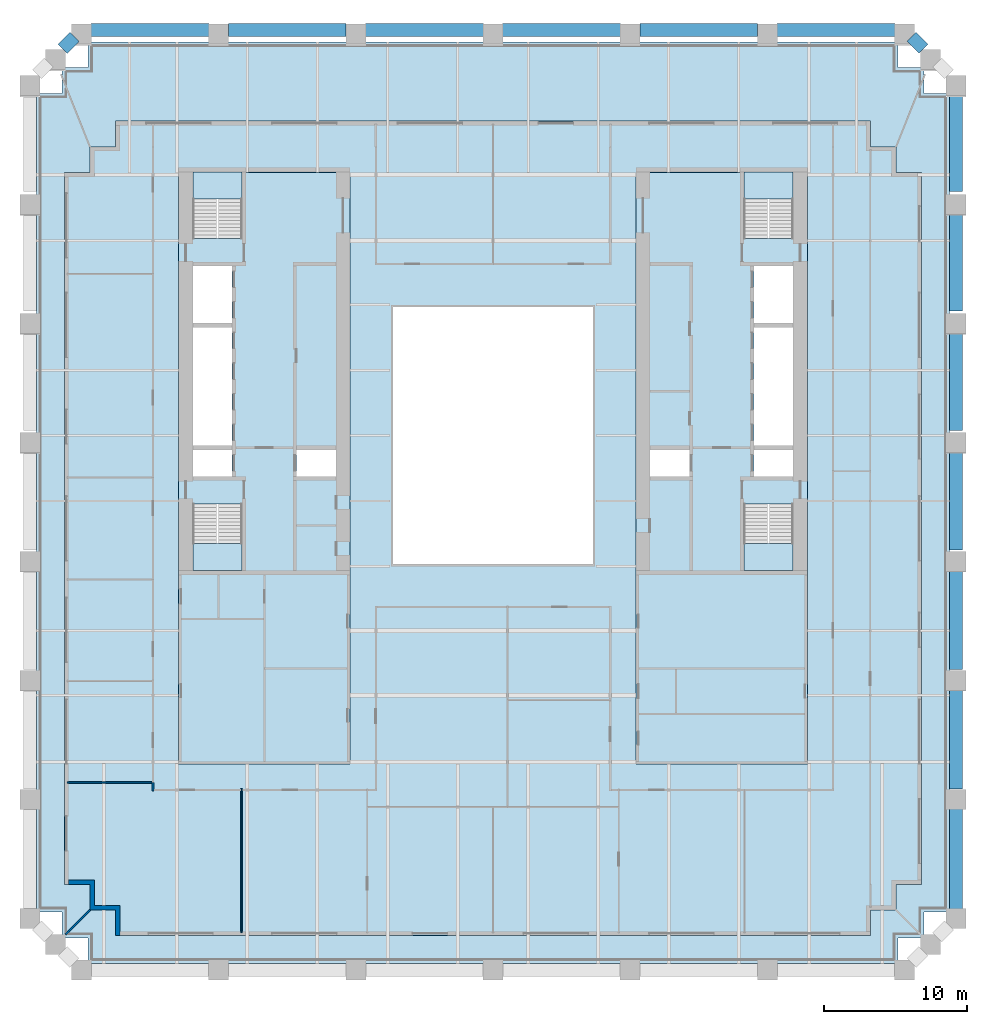
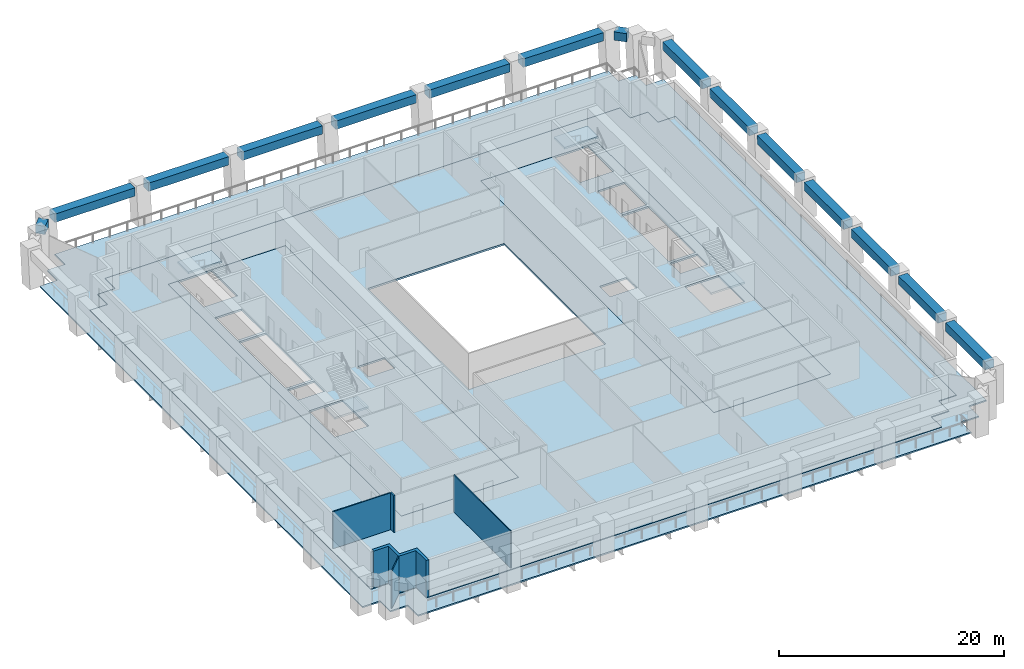
# One storey, part 2 of 10: 15 beams, 8 slabs, 5 walls, 4 elements without a shape of their own.
"""IFC4 building model written with IfcOpenShell, lengths in metres."""

from ifc_helpers import new_model, si_unit, direction, frame, frame_2d, origin, origin_2d, place, context, subcontext, project, spatial, polyline, rectangle, outline, extrude, material, layer, layer_set, material_profile, profile_set, type_object, element, aggregate, save


model = new_model("IFC4")

# Units and contexts
model_context = context("Model", 3, precision=1e-05, world=origin(), true_north=direction((0.0, 1.0)))
body_context = subcontext(model_context, "Body", "Model", "MODEL_VIEW")
ifc_project = project(units=[si_unit("LENGTHUNIT", "METRE"), si_unit("AREAUNIT", "SQUARE_METRE"), si_unit("VOLUMEUNIT", "CUBIC_METRE"), si_unit("PLANEANGLEUNIT", "RADIAN"), si_unit("MASSUNIT", "GRAM", prefix="KILO")], contexts=[model_context])

# Site, building, storey
site_placement = place(None, origin())
site = spatial("IfcSite", under=ifc_project, at=site_placement, CompositionType="ELEMENT")
building_placement = place(site_placement, origin())
building = spatial("IfcBuilding", under=site, at=building_placement, Name="Ogive Exchange Tower", CompositionType="ELEMENT")
storey_placement = place(building_placement, frame((0.0, 0.0, 73.199951171875)))
storey = spatial("IfcBuildingStorey", under=building, at=storey_placement, Name="L15", CompositionType="ELEMENT", Elevation=73.199951171875)

# Beams
ifc_material_1 = material(Name="Precast concrete C70/85 (limestone faced)", Category="masonry")
ifc_material_profile = material_profile(ifc_material_1, rectangle(XDim=0.89990234375, YDim=0.89990234375, at=origin_2d()), Name="900 x 900")
ifc_profile_set = profile_set([ifc_material_profile], Name="Precast concrete C70/85 (limestone faced)")
beam_type = type_object("IfcBeamType", Name="Precast spandrel 900 x 900 C70/85", PredefinedType="SPANDREL", material=ifc_profile_set)
for number, where, z_axis, x_axis, name in (
    (1, (32.39990234375, -26.1201171875, 3.5), (0.0, 1.0, 0.0), (-1.0, 0.0, 0.0), "Spandrel 9"),
    (2, (32.39990234375, -17.751220703125, 3.5), (0.0, 1.0, 0.0), (-1.0, 0.0, 0.0), "Spandrel 10"),
):
    element("IfcBeam", number, at=place(storey_placement, frame(where, z_axis=z_axis, x_axis=x_axis)), inside=storey, type_object=beam_type, Name=name, PredefinedType="SPANDREL", context=body_context, shape_type="SweptSolid", body=[
        extrude(rectangle(XDim=0.89990234375, YDim=0.89990234375, at=origin_2d()), origin(), (0.0, 0.0, 1.0), 7.009033203125),
    ])
for number, where, z_axis, x_axis, name in (
    (3, (32.39990234375, -9.38232421875, 3.5), (0.0, 1.0, 0.0), (-1.0, 0.0, 0.0), "Spandrel 11"),
    (4, (32.39990234375, -1.013427734375, 3.5), (0.0, 1.0, 0.0), (-1.0, 0.0, 0.0), "Spandrel 12"),
):
    element("IfcBeam", number, at=place(storey_placement, frame(where, z_axis=z_axis, x_axis=x_axis)), inside=storey, type_object=beam_type, Name=name, PredefinedType="SPANDREL", context=body_context, shape_type="SweptSolid", body=[
        extrude(rectangle(XDim=0.89990234375, YDim=0.89990234375, at=origin_2d()), origin(), (0.0, 0.0, 1.0), 7.0087890625),
    ])
beam_1_placement = place(storey_placement, frame((32.39990234375, 7.355224609375, 3.5), z_axis=(0.0, 1.0, 0.0), x_axis=(-1.0, 0.0, 0.0)))
element("IfcBeam", 5, at=beam_1_placement, inside=storey, type_object=beam_type, Name="Spandrel 13", PredefinedType="SPANDREL", context=body_context, shape_type="SweptSolid", body=[
    extrude(rectangle(XDim=0.89990234375, YDim=0.89990234375, at=origin_2d()), origin(), (0.0, 0.0, 1.0), 7.009033203125),
])
for number, where, z_axis, x_axis, name in (
    (6, (32.39990234375, 15.72412109375, 3.5), (0.0, 1.0, 0.0), (-1.0, 0.0, 0.0), "Spandrel 14"),
    (7, (32.39990234375, 24.093017578125, 3.5), (0.0, 1.0, 0.0), (-1.0, 0.0, 0.0), "Spandrel 15"),
):
    element("IfcBeam", number, at=place(storey_placement, frame(where, z_axis=z_axis, x_axis=x_axis)), inside=storey, type_object=beam_type, Name=name, PredefinedType="SPANDREL", context=body_context, shape_type="SweptSolid", body=[
        extrude(rectangle(XDim=0.89990234375, YDim=0.89990234375, at=origin_2d()), origin(), (0.0, 0.0, 1.0), 7.0087890625),
    ])
beam_2_placement = place(storey_placement, frame((30.112060546875, 34.069580078125, 3.5), z_axis=(-0.707002063412, 0.707211483455, 0.0), x_axis=(-0.707211483455, -0.707002063412, 0.0)))
element("IfcBeam", 8, at=beam_2_placement, inside=storey, type_object=beam_type, Name="Spandrel 17", PredefinedType="SPANDREL", context=body_context, shape_type="SweptSolid", body=[
    extrude(rectangle(XDim=0.89990234375, YDim=0.89990234375, at=origin_2d()), origin(), (0.0, 0.0, 1.0), 1.165771484375),
])
beam_3_placement = place(storey_placement, frame((28.1201171875, 35.3818359375, 3.5), z_axis=(-1.0, 0.0, 0.0), x_axis=(0.0, -1.0, 0.0)))
element("IfcBeam", 9, at=beam_3_placement, inside=storey, type_object=beam_type, Name="Spandrel 18", PredefinedType="SPANDREL", context=body_context, shape_type="SweptSolid", body=[
    extrude(rectangle(XDim=0.89990234375, YDim=0.89990234375, at=origin_2d()), origin(), (0.0, 0.0, 1.0), 8.240234375),
])
for number, where, z_axis, x_axis, name in (
    (10, (18.52001953125, 35.3818359375, 3.5), (-1.0, 0.0, 0.0), (0.0, -1.0, 0.0), "Spandrel 19"),
    (11, (8.919921875, 35.3818359375, 3.5), (-1.0, 0.0, 0.0), (0.0, -1.0, 0.0), "Spandrel 20"),
    (12, (-0.679931640625, 35.3818359375, 3.5), (-1.0, 0.0, 0.0), (0.0, -1.0, 0.0), "Spandrel 21"),
    (13, (-10.280029296875, 35.3818359375, 3.5), (-1.0, 0.0, 0.0), (0.0, -1.0, 0.0), "Spandrel 22"),
):
    element("IfcBeam", number, at=place(storey_placement, frame(where, z_axis=z_axis, x_axis=x_axis)), inside=storey, type_object=beam_type, Name=name, PredefinedType="SPANDREL", context=body_context, shape_type="SweptSolid", body=[
        extrude(rectangle(XDim=0.89990234375, YDim=0.89990234375, at=origin_2d()), origin(), (0.0, 0.0, 1.0), 8.239990234375),
    ])
beam_4_placement = place(storey_placement, frame((-19.8798828125, 35.3818359375, 3.5), z_axis=(-1.0, 0.0, 0.0), x_axis=(0.0, -1.0, 0.0)))
element("IfcBeam", 14, at=beam_4_placement, inside=storey, type_object=beam_type, Name="Spandrel 23", PredefinedType="SPANDREL", context=body_context, shape_type="SweptSolid", body=[
    extrude(rectangle(XDim=0.89990234375, YDim=0.89990234375, at=origin_2d()), origin(), (0.0, 0.0, 1.0), 8.240234375),
])
beam_5_placement = place(storey_placement, frame((-29.287841796875, 34.89404296875, 3.5), z_axis=(-0.707002063412, -0.707211483455, 0.0), x_axis=(0.707211483455, -0.707002063412, 0.0)))
element("IfcBeam", 15, at=beam_5_placement, inside=storey, type_object=beam_type, Name="Spandrel 24", PredefinedType="SPANDREL", context=body_context, shape_type="SweptSolid", body=[
    extrude(rectangle(XDim=0.89990234375, YDim=0.89990234375, at=origin_2d()), origin(), (0.0, 0.0, 1.0), 1.165771484375),
])

# Slabs
ifc_material_2 = material(Name="Concrete C50/60", Category="concrete")
ifc_layer_1 = layer(ifc_material_2, 0.199951171875)
ifc_layer_set_1 = layer_set([ifc_layer_1], Name="Composite floor slab 200")
slab_type_1 = type_object("IfcSlabType", Name="Composite floor slab 200", PredefinedType="FLOOR", material=ifc_layer_set_1)
slab_1_placement = place(storey_placement, frame((0.0, 0.0, -0.199951171875)))
element("IfcSlab", 16, at=slab_1_placement, inside=storey, type_object=slab_type_1, Name="Composite floor slab", PredefinedType="FLOOR", context=body_context, shape_type="SweptSolid", body=[
    extrude(outline(polyline([(-26.39990234375, -26.199951171875), (-28.199951171875, -26.199951171875), (-28.199951171875, -24.39990234375), (-30.0, -24.39990234375), (-30.0, 25.39990234375), (-28.199951171875, 25.39990234375), (-28.199951171875, 27.199951171875), (-26.39990234375, 27.199951171875), (-26.39990234375, 29.0), (26.39990234375, 29.0), (26.39990234375, 27.199951171875), (28.199951171875, 27.199951171875), (28.199951171875, 25.39990234375), (30.0, 25.39990234375), (30.0, -24.39990234375), (28.199951171875, -24.39990234375), (28.199951171875, -26.199951171875), (26.39990234375, -26.199951171875), (26.39990234375, -28.0), (-26.39990234375, -28.0), (-26.39990234375, -26.199951171875)]), holes=[polyline([(-10.0, -16.0), (-10.0, 25.39990234375), (-22.0, 25.39990234375), (-22.0, -16.0), (-10.0, -16.0)]), polyline([(10.0, -16.0), (22.0, -16.0), (22.0, 25.39990234375), (10.0, 25.39990234375), (10.0, -16.0)]), polyline([(-7.0, -2.0), (7.0, -2.0), (7.0, 16.0), (-7.0, 16.0), (-7.0, -2.0)])]), origin(), (0.0, 0.0, 1.0), 0.199951171875),
])
ifc_material_3 = material(Name="Concrete C70/85", Category="concrete")
ifc_layer_2 = layer(ifc_material_3, 0.199951171875)
ifc_layer_set_2 = layer_set([ifc_layer_2], Name="Core floor slab 200")
slab_type_2 = type_object("IfcSlabType", Name="Core floor slab 200", PredefinedType="FLOOR", material=ifc_layer_set_2)
slab_2_placement = place(storey_placement, frame((0.0, 0.0, -0.199951171875)))
element("IfcSlab", 17, at=slab_2_placement, inside=storey, type_object=slab_type_2, Name="Core floor slab", PredefinedType="FLOOR", context=body_context, shape_type="SweptSolid", body=[
    extrude(outline(polyline([(-10.0, 25.39990234375), (-10.0, -16.0), (-22.0, -16.0), (-22.0, 25.39990234375), (-21.0, 25.39990234375), (-21.0, 20.803955078125), (-17.550048828125, 20.803955078125), (-17.550048828125, 25.39990234375), (-10.0, 25.39990234375)]), holes=[polyline([(-17.550048828125, 2.196044921875), (-21.0, 2.196044921875), (-21.0, -2.449951171875), (-17.550048828125, -2.449951171875), (-17.550048828125, 2.196044921875)]), polyline([(-18.25, 5.992919921875), (-21.0, 5.992919921875), (-21.0, 4.14990234375), (-18.25, 4.14990234375), (-18.25, 5.992919921875)]), polyline([(-11.0, 5.992919921875), (-13.75, 5.992919921875), (-13.75, 4.14990234375), (-11.0, 4.14990234375), (-11.0, 5.992919921875)]), polyline([(-21.0, 14.564208984375), (-21.0, 6.29296875), (-18.25, 6.29296875), (-18.25, 14.564208984375), (-21.0, 14.564208984375)]), polyline([(-18.25, 18.85009765625), (-21.0, 18.85009765625), (-21.0, 14.8642578125), (-18.25, 14.8642578125), (-18.25, 18.85009765625)])]), origin(), (0.0, 0.0, 1.0), 0.199951171875),
])
slab_3_placement = place(storey_placement, frame((0.0, 0.0, -0.199951171875)))
element("IfcSlab", 18, at=slab_3_placement, inside=storey, type_object=slab_type_2, Name="Core floor slab", PredefinedType="FLOOR", context=body_context, shape_type="SweptSolid", body=[
    extrude(outline(polyline([(22.0, 25.39990234375), (22.0, -16.0), (10.0, -16.0), (10.0, 25.39990234375), (17.550048828125, 25.39990234375), (17.550048828125, 20.803955078125), (21.0, 20.803955078125), (21.0, 25.39990234375), (22.0, 25.39990234375)]), holes=[polyline([(21.0, 2.196044921875), (17.550048828125, 2.196044921875), (17.550048828125, -2.449951171875), (21.0, -2.449951171875), (21.0, 2.196044921875)]), polyline([(13.75, 5.992919921875), (11.0, 5.992919921875), (11.0, 4.14990234375), (13.75, 4.14990234375), (13.75, 5.992919921875)]), polyline([(21.0, 5.992919921875), (18.25, 5.992919921875), (18.25, 4.14990234375), (21.0, 4.14990234375), (21.0, 5.992919921875)]), polyline([(18.25, 14.564208984375), (18.25, 6.29296875), (21.0, 6.29296875), (21.0, 14.564208984375), (18.25, 14.564208984375)]), polyline([(21.0, 18.85009765625), (18.25, 18.85009765625), (18.25, 14.8642578125), (21.0, 14.8642578125), (21.0, 18.85009765625)])]), origin(), (0.0, 0.0, 1.0), 0.199951171875),
])
ifc_layer_3 = layer(ifc_material_2, 0.14990234375)
ifc_layer_set_3 = layer_set([ifc_layer_3], Name="Loggia deck 150")
slab_type_3 = type_object("IfcSlabType", Name="Loggia deck 150", PredefinedType="FLOOR", material=ifc_layer_set_3)
slab_4_placement = place(storey_placement, frame((0.0, 0.0, -0.199951171875)))
element("IfcSlab", 19, at=slab_4_placement, inside=storey, type_object=slab_type_3, Name="Loggia deck", PredefinedType="FLOOR", context=body_context, shape_type="SweptSolid", body=[
    extrude(outline(polyline([(-28.35009765625, -28.14990234375), (-30.14990234375, -28.14990234375), (-30.14990234375, -26.35009765625), (-31.949951171875, -26.35009765625), (-31.949951171875, 30.949951171875), (-30.14990234375, 30.949951171875), (-30.14990234375, 32.75), (-28.35009765625, 32.75), (-28.35009765625, 34.550048828125), (28.35009765625, 34.550048828125), (28.35009765625, 32.75), (30.14990234375, 32.75), (30.14990234375, 30.949951171875), (31.949951171875, 30.949951171875), (31.949951171875, -26.35009765625), (30.14990234375, -26.35009765625), (30.14990234375, -28.14990234375), (28.35009765625, -28.14990234375), (28.35009765625, -29.949951171875), (-28.35009765625, -29.949951171875), (-28.35009765625, -28.14990234375)]), holes=[polyline([(26.39990234375, -26.199951171875), (28.199951171875, -26.199951171875), (28.199951171875, -24.39990234375), (30.0, -24.39990234375), (30.0, 25.39990234375), (28.199951171875, 25.39990234375), (28.199951171875, 27.199951171875), (26.39990234375, 27.199951171875), (26.39990234375, 29.0), (-26.39990234375, 29.0), (-26.39990234375, 27.199951171875), (-28.199951171875, 27.199951171875), (-28.199951171875, 25.39990234375), (-30.0, 25.39990234375), (-30.0, -24.39990234375), (-28.199951171875, -24.39990234375), (-28.199951171875, -26.199951171875), (-26.39990234375, -26.199951171875), (-26.39990234375, -28.0), (26.39990234375, -28.0), (26.39990234375, -26.199951171875)])]), origin(), (0.0, 0.0, 1.0), 0.14990234375),
])

# Stair, slab
ifc_material_4 = material(Name="Concrete C40/50", Category="concrete")
stair_type = type_object("IfcStairType", Name="Exit stair 1650 wide", PredefinedType="HALF_TURN_STAIR", material=ifc_material_4)
stair_1_placement = place(storey_placement, origin())
stair_1 = element("IfcStair", 20, at=stair_1_placement, inside=storey, type_object=stair_type, Name="L15 exit stair ST1", PredefinedType="HALF_TURN_STAIR")
ifc_layer_4 = layer(ifc_material_4, 0.199951171875)
ifc_layer_set_4 = layer_set([ifc_layer_4], Name="Stair landing 200 slab")
slab_type_4 = type_object("IfcSlabType", Name="Stair landing 200 slab", PredefinedType="LANDING", material=ifc_layer_set_4)
slab_5_placement = place(storey_placement, frame((0.0, 0.0, 1.900146484375)))
slab_5 = element("IfcSlab", 21, at=slab_5_placement, type_object=slab_type_4, Name="ST1 landing 1", PredefinedType="LANDING", context=body_context, shape_type="SweptSolid", body=[
    extrude(outline(polyline([(-21.0, -0.550048828125), (-21.0, -2.449951171875), (-17.550048828125, -2.449951171875), (-17.550048828125, -0.550048828125), (-21.0, -0.550048828125)])), origin(), (0.0, 0.0, 1.0), 0.199951171875),
])
aggregate(stair_1, [slab_5])

stair_2_placement = place(storey_placement, origin())
stair_2 = element("IfcStair", 22, at=stair_2_placement, inside=storey, type_object=stair_type, Name="L15 exit stair ST2", PredefinedType="HALF_TURN_STAIR")
slab_6_placement = place(storey_placement, frame((0.0, 0.0, 1.900146484375)))
slab_6 = element("IfcSlab", 23, at=slab_6_placement, type_object=slab_type_4, Name="ST2 landing 1", PredefinedType="LANDING", context=body_context, shape_type="SweptSolid", body=[
    extrude(outline(polyline([(-17.550048828125, 23.550048828125), (-17.550048828125, 25.449951171875), (-21.0, 25.449951171875), (-21.0, 23.550048828125), (-17.550048828125, 23.550048828125)])), origin(), (0.0, 0.0, 1.0), 0.199951171875),
])
aggregate(stair_2, [slab_6])

stair_3_placement = place(storey_placement, origin())
stair_3 = element("IfcStair", 24, at=stair_3_placement, inside=storey, type_object=stair_type, Name="L15 exit stair ST3", PredefinedType="HALF_TURN_STAIR")
slab_7_placement = place(storey_placement, frame((0.0, 0.0, 1.900146484375)))
slab_7 = element("IfcSlab", 25, at=slab_7_placement, type_object=slab_type_4, Name="ST3 landing 1", PredefinedType="LANDING", context=body_context, shape_type="SweptSolid", body=[
    extrude(outline(polyline([(17.550048828125, -0.550048828125), (17.550048828125, -2.449951171875), (21.0, -2.449951171875), (21.0, -0.550048828125), (17.550048828125, -0.550048828125)])), origin(), (0.0, 0.0, 1.0), 0.199951171875),
])
aggregate(stair_3, [slab_7])

stair_4_placement = place(storey_placement, origin())
stair_4 = element("IfcStair", 26, at=stair_4_placement, inside=storey, type_object=stair_type, Name="L15 exit stair ST4", PredefinedType="HALF_TURN_STAIR")
slab_8_placement = place(storey_placement, frame((0.0, 0.0, 1.900146484375)))
slab_8 = element("IfcSlab", 27, at=slab_8_placement, type_object=slab_type_4, Name="ST4 landing 1", PredefinedType="LANDING", context=body_context, shape_type="SweptSolid", body=[
    extrude(outline(polyline([(21.0, 23.550048828125), (21.0, 25.449951171875), (17.550048828125, 25.449951171875), (17.550048828125, 23.550048828125), (21.0, 23.550048828125)])), origin(), (0.0, 0.0, 1.0), 0.199951171875),
])
aggregate(stair_4, [slab_8])

# Walls
ifc_material_5 = material(Name="Fire partition EI 60 150")
ifc_layer_5 = layer(ifc_material_5, 0.14990234375)
ifc_layer_set_5 = layer_set([ifc_layer_5], Name="Fire partition EI 60 150")
wall_type_1 = type_object("IfcWallType", Name="Fire partition EI 60 150", PredefinedType="PARTITIONING", material=ifc_layer_set_5)
wall_1_placement = place(storey_placement, frame((-23.800048828125, -17.875, 0.0), z_axis=(0.0, 0.0, 1.0), x_axis=(0.0, 1.0, 0.0)))
element("IfcWall", 28, at=wall_1_placement, inside=storey, type_object=wall_type_1, Name="L15-PWL-001", PredefinedType="PARTITIONING", context=body_context, shape_type="SweptSolid", body=[
    extrude(rectangle(XDim=0.5849609375, YDim=0.14990234375, at=frame_2d((0.29248046875, 0.0))), origin(), (0.0, 0.0, 1.0), 4.0),
])
ifc_material_6 = material(Name="Precast concrete C40/50", Category="concrete")
ifc_layer_6 = layer(ifc_material_6, 0.300048828125)
ifc_layer_set_6 = layer_set([ifc_layer_6], Name="Limestone-faced wall 300")
wall_type_2 = type_object("IfcWallType", Name="Limestone-faced wall 300", PredefinedType="STANDARD", material=ifc_layer_set_6)
wall_2_placement = place(storey_placement, origin())
element("IfcWall", 29, at=wall_2_placement, inside=storey, type_object=wall_type_2, Name="External corner wall C4", PredefinedType="STANDARD", context=body_context, shape_type="SweptSolid", body=[
    extrude(outline(polyline([(-26.39990234375, -26.199951171875), (-28.199951171875, -26.199951171875), (-28.199951171875, -24.39990234375), (-29.699951171875, -24.39990234375), (-29.699951171875, -24.10009765625), (-27.89990234375, -24.10009765625), (-27.89990234375, -25.89990234375), (-26.10009765625, -25.89990234375), (-26.10009765625, -28.0), (-26.39990234375, -28.0), (-26.39990234375, -26.199951171875)])), origin(), (0.0, 0.0, 1.0), 4.0),
])
ifc_material_7 = material(Name="Laminated safety glass in steel frame", Category="steel")
ifc_layer_7 = layer(ifc_material_7, 0.10009765625)
ifc_layer_set_7 = layer_set([ifc_layer_7], Name="Loggia end screen 100")
wall_type_3 = type_object("IfcWallType", Name="Loggia end screen 100", PredefinedType="STANDARD", material=ifc_layer_set_7)
wall_3_placement = place(storey_placement, frame((-28.199951171875, -26.199951171875, -0.050048828125), z_axis=(0.0, 0.0, 1.0), x_axis=(-0.707106781187, -0.707106781187, 0.0)))
element("IfcWall", 30, at=wall_3_placement, inside=storey, type_object=wall_type_3, Name="Loggia end screen C4", PredefinedType="STANDARD", context=body_context, shape_type="SweptSolid", body=[
    extrude(rectangle(XDim=2.384521484375, YDim=0.10009765625, at=frame_2d((1.1923828125, 0.0))), origin(), (0.0, 0.0, 1.0), 4.050048828125),
])
ifc_material_8 = material(Name="Partition 100 gypsum")
ifc_layer_8 = layer(ifc_material_8, 0.10009765625)
ifc_layer_set_8 = layer_set([ifc_layer_8], Name="Partition 100 gypsum")
wall_type_4 = type_object("IfcWallType", Name="Partition 100 gypsum", PredefinedType="PARTITIONING", material=ifc_layer_set_8)
wall_4_placement = place(storey_placement, frame((-23.875, -17.2900390625, 0.0), z_axis=(0.0, 0.0, 1.0), x_axis=(-1.0, 0.0, 0.0)))
element("IfcWall", 31, at=wall_4_placement, inside=storey, type_object=wall_type_4, Name="L15-PWL-002", PredefinedType="PARTITIONING", context=body_context, shape_type="SweptSolid", body=[
    extrude(rectangle(XDim=5.925048828125, YDim=0.10009765625, at=frame_2d((2.96240234375, 0.0))), origin(), (0.0, 0.0, 1.0), 4.0),
])
wall_5_placement = place(storey_placement, frame((-17.60009765625, -27.800048828125, 0.0), z_axis=(0.0, 0.0, 1.0), x_axis=(0.0, 1.0, 0.0)))
element("IfcWall", 32, at=wall_5_placement, inside=storey, type_object=wall_type_4, Name="L15-PWL-013", PredefinedType="PARTITIONING", context=body_context, shape_type="SweptSolid", body=[
    extrude(rectangle(XDim=10.074951171875, YDim=0.10009765625, at=frame_2d((5.03759765625, 0.0))), origin(), (0.0, 0.0, 1.0), 4.0),
])

save(model, "model.ifc")
